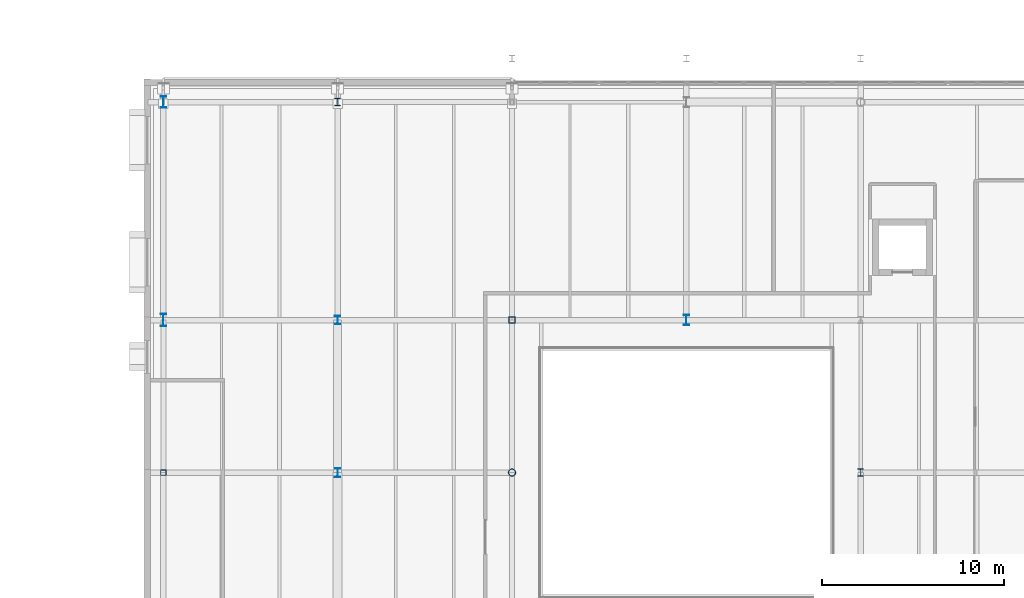
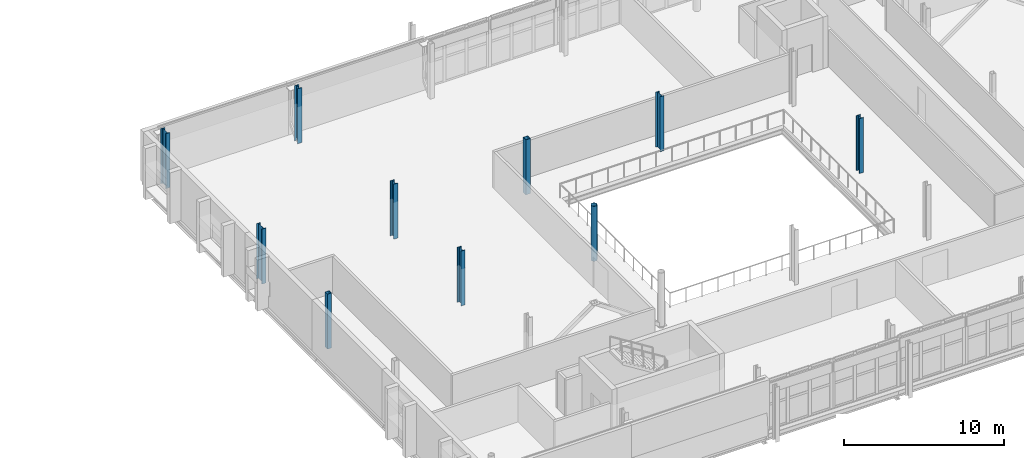
# One storey, part 5 of 57: 10 columns.
"""IFC4 building model written with IfcOpenShell, lengths in metres."""

from ifc_helpers import new_model, si_unit, direction, frame, origin, origin_2d, place, context, subcontext, project, spatial, hollow_rectangle, hollow_circle, i_section, extrude, material, material_profile, profile_set, type_object, element, save


model = new_model("IFC4")

# Units and contexts
model_context = context("Model", 3, precision=1e-05, world=origin(), true_north=direction((0.0, 1.0)))
body_context = subcontext(model_context, "Body", "Model", "MODEL_VIEW")
ifc_project = project(units=[si_unit("LENGTHUNIT", "METRE"), si_unit("AREAUNIT", "SQUARE_METRE"), si_unit("VOLUMEUNIT", "CUBIC_METRE"), si_unit("PLANEANGLEUNIT", "RADIAN"), si_unit("MASSUNIT", "GRAM", prefix="KILO")], contexts=[model_context])

# Site, building, storey
site_placement = place(None, origin())
site = spatial("IfcSite", under=ifc_project, at=site_placement, CompositionType="ELEMENT")
building_placement = place(site_placement, origin())
building = spatial("IfcBuilding", under=site, at=building_placement, Name="Zereglee Splitstone Museum", CompositionType="ELEMENT")
storey_placement = place(building_placement, frame((0.0, 0.0, 17.10009765625)))
storey = spatial("IfcBuildingStorey", under=building, at=storey_placement, Name="L03", CompositionType="ELEMENT", Elevation=17.10009765625)

# Columns
ifc_material_1 = material(Name="Steel S355J2H", Category="steel")
ifc_material_profile_1 = material_profile(ifc_material_1, hollow_circle(Radius=0.203125, WallThickness=0.02001953125, at=origin_2d()), Name="CHS 406.4x20")
ifc_profile_set_1 = profile_set([ifc_material_profile_1], Name="Steel S355J2H")
column_type_1 = type_object("IfcColumnType", Name="C-18", PredefinedType="COLUMN", material=ifc_profile_set_1)
column_1_placement = place(storey_placement, frame((97.199951171875, 30.0, 0.0), z_axis=(0.0, 0.0, 1.0), x_axis=(1.0, 0.0, 0.0)))
element("IfcColumn", 1, at=column_1_placement, inside=storey, type_object=column_type_1, Name="Column 12/D L03", PredefinedType="COLUMN", context=body_context, shape_type="SweptSolid", body=[
    extrude(hollow_circle(Radius=0.203125, WallThickness=0.02001953125, at=origin_2d()), origin(), (0.0, 0.0, 1.0), 4.199951171875),
])
ifc_material_2 = material(Name="Steel S355J2", Category="steel")
ifc_material_profile_2 = material_profile(ifc_material_2, i_section(OverallWidth=0.300048828125, OverallDepth=0.39990234375, WebThickness=0.013427734375, FlangeThickness=0.02392578125, FilletRadius=0.027099609375, at=origin_2d()), Name="HE 400 B")
ifc_profile_set_2 = profile_set([ifc_material_profile_2], Name="Steel S355J2")
column_type_2 = type_object("IfcColumnType", Name="C-15", PredefinedType="COLUMN", material=ifc_profile_set_2)
for number, where, z_axis, x_axis, name in (
    (2, (87.60009765625, 50.39990234375, 0.0), (0.0, 0.0, 1.0), (1.0, 0.0, 0.0), "Column 11/F L03"),
    (3, (116.39990234375, 30.0, 0.0), (0.0, 0.0, 1.0), (1.0, 0.0, 0.0), "Column 14/D L03"),
):
    element("IfcColumn", number, at=place(storey_placement, frame(where, z_axis=z_axis, x_axis=x_axis)), inside=storey, type_object=column_type_2, Name=name, PredefinedType="COLUMN", context=body_context, shape_type="SweptSolid", body=[
        extrude(i_section(OverallWidth=0.300048828125, OverallDepth=0.39990234375, WebThickness=0.013427734375, FlangeThickness=0.02392578125, FilletRadius=0.027099609375, at=origin_2d()), origin(), (0.0, 0.0, 1.0), 4.199951171875),
    ])
ifc_material_profile_3 = material_profile(ifc_material_2, i_section(OverallWidth=0.300048828125, OverallDepth=0.449951171875, WebThickness=0.013916015625, FlangeThickness=0.02587890625, FilletRadius=0.027099609375, at=origin_2d()), Name="HE 450 B")
ifc_profile_set_3 = profile_set([ifc_material_profile_3], Name="Steel S355J2")
column_type_3 = type_object("IfcColumnType", Name="C-14", PredefinedType="COLUMN", material=ifc_profile_set_3)
column_2_placement = place(storey_placement, frame((87.60009765625, 38.39990234375, 0.0), z_axis=(0.0, 0.0, 1.0), x_axis=(1.0, 0.0, 0.0)))
element("IfcColumn", 4, at=column_2_placement, inside=storey, type_object=column_type_3, Name="Column 11/E L03", PredefinedType="COLUMN", context=body_context, shape_type="SweptSolid", body=[
    extrude(i_section(OverallWidth=0.300048828125, OverallDepth=0.449951171875, WebThickness=0.013916015625, FlangeThickness=0.02587890625, FilletRadius=0.027099609375, at=origin_2d()), origin(), (0.0, 0.0, 1.0), 4.199951171875),
])
ifc_material_profile_4 = material_profile(ifc_material_2, i_section(OverallWidth=0.300048828125, OverallDepth=0.5, WebThickness=0.014404296875, FlangeThickness=0.028076171875, FilletRadius=0.027099609375, at=origin_2d()), Name="HE 500 B")
ifc_profile_set_4 = profile_set([ifc_material_profile_4], Name="Steel S355J2")
column_type_4 = type_object("IfcColumnType", Name="C-13", PredefinedType="COLUMN", material=ifc_profile_set_4)
column_3_placement = place(storey_placement, frame((87.60009765625, 30.0, 0.0), z_axis=(0.0, 0.0, 1.0), x_axis=(1.0, 0.0, 0.0)))
element("IfcColumn", 5, at=column_3_placement, inside=storey, type_object=column_type_4, Name="Column 11/D L03", PredefinedType="COLUMN", context=body_context, shape_type="SweptSolid", body=[
    extrude(i_section(OverallWidth=0.300048828125, OverallDepth=0.5, WebThickness=0.014404296875, FlangeThickness=0.028076171875, FilletRadius=0.027099609375, at=origin_2d()), origin(), (0.0, 0.0, 1.0), 4.199951171875),
])
ifc_material_profile_5 = material_profile(ifc_material_2, i_section(OverallWidth=0.300048828125, OverallDepth=0.60009765625, WebThickness=0.015380859375, FlangeThickness=0.030029296875, FilletRadius=0.027099609375, at=origin_2d()), Name="HE 600 B")
ifc_profile_set_5 = profile_set([ifc_material_profile_5], Name="Steel S355J2")
column_type_5 = type_object("IfcColumnType", Name="C-11", PredefinedType="COLUMN", material=ifc_profile_set_5)
column_4_placement = place(storey_placement, frame((106.800048828125, 38.39990234375, 0.0), z_axis=(0.0, 0.0, 1.0), x_axis=(1.0, 0.0, 0.0)))
element("IfcColumn", 6, at=column_4_placement, inside=storey, type_object=column_type_5, Name="Column 13/E L03", PredefinedType="COLUMN", context=body_context, shape_type="SweptSolid", body=[
    extrude(i_section(OverallWidth=0.300048828125, OverallDepth=0.60009765625, WebThickness=0.015380859375, FlangeThickness=0.030029296875, FilletRadius=0.027099609375, at=origin_2d()), origin(), (0.0, 0.0, 1.0), 4.199951171875),
])
ifc_material_profile_6 = material_profile(ifc_material_2, i_section(OverallWidth=0.300048828125, OverallDepth=0.64990234375, WebThickness=0.01611328125, FlangeThickness=0.031005859375, FilletRadius=0.027099609375, at=origin_2d()), Name="HE 650 B")
ifc_profile_set_6 = profile_set([ifc_material_profile_6], Name="Steel S355J2")
column_type_6 = type_object("IfcColumnType", Name="C-10", PredefinedType="COLUMN", material=ifc_profile_set_6)
column_5_placement = place(storey_placement, frame((78.0, 50.39990234375, 0.0), z_axis=(0.0, 0.0, 1.0), x_axis=(1.0, 0.0, 0.0)))
element("IfcColumn", 7, at=column_5_placement, inside=storey, type_object=column_type_6, Name="Column 10/F L03", PredefinedType="COLUMN", context=body_context, shape_type="SweptSolid", body=[
    extrude(i_section(OverallWidth=0.300048828125, OverallDepth=0.64990234375, WebThickness=0.01611328125, FlangeThickness=0.031005859375, FilletRadius=0.027099609375, at=origin_2d()), origin(), (0.0, 0.0, 1.0), 4.199951171875),
])
ifc_material_profile_7 = material_profile(ifc_material_2, i_section(OverallWidth=0.300048828125, OverallDepth=0.699951171875, WebThickness=0.01708984375, FlangeThickness=0.031982421875, FilletRadius=0.027099609375, at=origin_2d()), Name="HE 700 B")
ifc_profile_set_7 = profile_set([ifc_material_profile_7], Name="Steel S355J2")
column_type_7 = type_object("IfcColumnType", Name="C-09", PredefinedType="COLUMN", material=ifc_profile_set_7)
column_6_placement = place(storey_placement, frame((78.0, 38.39990234375, 0.0), z_axis=(0.0, 0.0, 1.0), x_axis=(1.0, 0.0, 0.0)))
element("IfcColumn", 8, at=column_6_placement, inside=storey, type_object=column_type_7, Name="Column 10/E L03", PredefinedType="COLUMN", context=body_context, shape_type="SweptSolid", body=[
    extrude(i_section(OverallWidth=0.300048828125, OverallDepth=0.699951171875, WebThickness=0.01708984375, FlangeThickness=0.031982421875, FilletRadius=0.027099609375, at=origin_2d()), origin(), (0.0, 0.0, 1.0), 4.199951171875),
])
ifc_material_profile_8 = material_profile(ifc_material_1, hollow_rectangle(XDim=0.300048828125, YDim=0.300048828125, WallThickness=0.01611328125, at=origin_2d()), Name="SHS 300x300x16")
ifc_profile_set_8 = profile_set([ifc_material_profile_8], Name="Steel S355J2H")
column_type_8 = type_object("IfcColumnType", Name="C-20", PredefinedType="COLUMN", material=ifc_profile_set_8)
column_7_placement = place(storey_placement, frame((78.0, 30.0, 0.0), z_axis=(0.0, 0.0, 1.0), x_axis=(1.0, 0.0, 0.0)))
element("IfcColumn", 9, at=column_7_placement, inside=storey, type_object=column_type_8, Name="Column 10/D L03", PredefinedType="COLUMN", context=body_context, shape_type="SweptSolid", body=[
    extrude(hollow_rectangle(XDim=0.300048828125, YDim=0.300048828125, WallThickness=0.01611328125, at=origin_2d()), origin(), (0.0, 0.0, 1.0), 4.199951171875),
])
ifc_material_profile_9 = material_profile(ifc_material_1, hollow_rectangle(XDim=0.35009765625, YDim=0.35009765625, WallThickness=0.01611328125, at=origin_2d()), Name="SHS 350x350x16")
ifc_profile_set_9 = profile_set([ifc_material_profile_9], Name="Steel S355J2H")
column_type_9 = type_object("IfcColumnType", Name="C-19", PredefinedType="COLUMN", material=ifc_profile_set_9)
column_8_placement = place(storey_placement, frame((97.199951171875, 38.39990234375, 0.0), z_axis=(0.0, 0.0, 1.0), x_axis=(1.0, 0.0, 0.0)))
element("IfcColumn", 10, at=column_8_placement, inside=storey, type_object=column_type_9, Name="Column 12/E L03", PredefinedType="COLUMN", context=body_context, shape_type="SweptSolid", body=[
    extrude(hollow_rectangle(XDim=0.35009765625, YDim=0.35009765625, WallThickness=0.01611328125, at=origin_2d()), origin(), (0.0, 0.0, 1.0), 4.199951171875),
])

save(model, "model.ifc")
